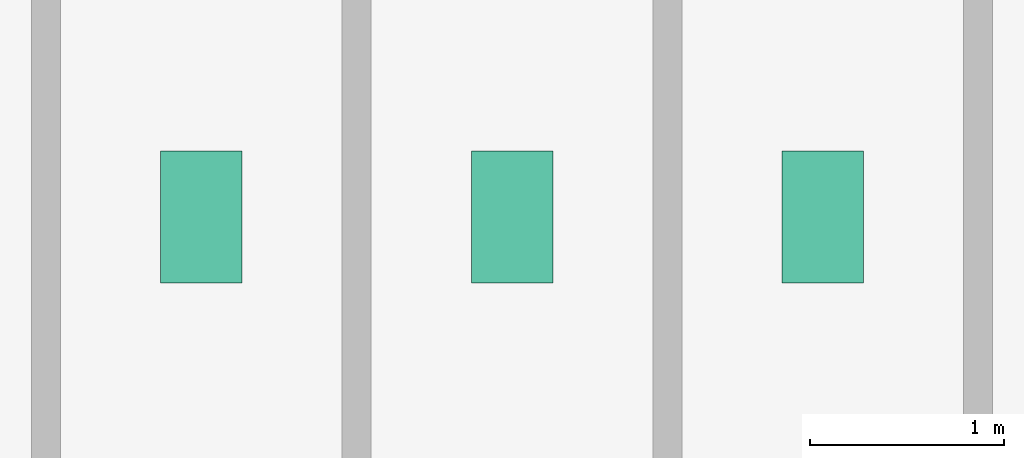
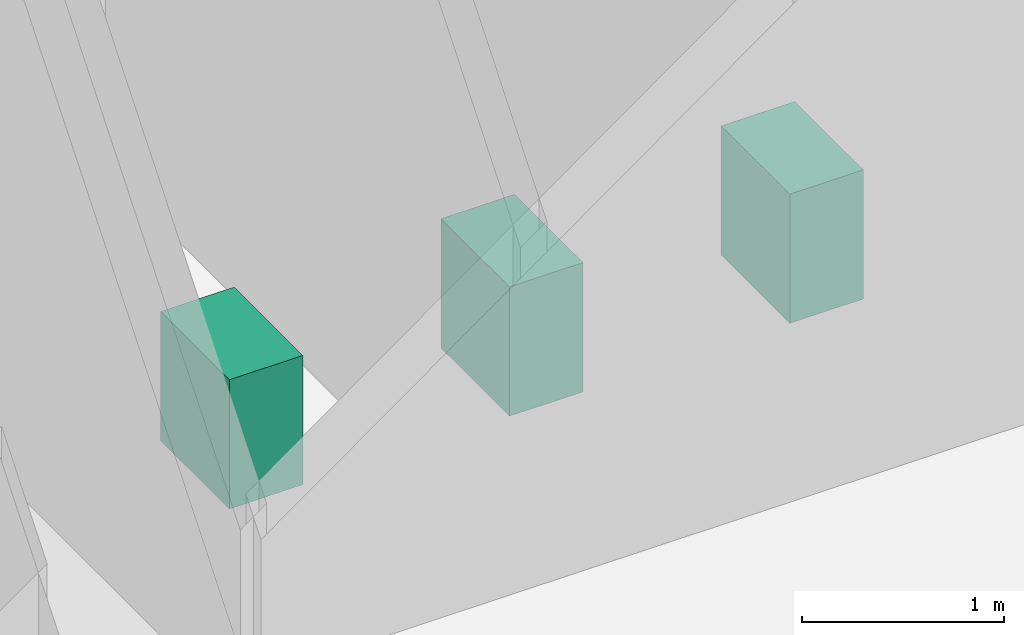
# One storey, part 25 of 25: 3 sanitary terminals.
"""IFC4 building model written with IfcOpenShell, lengths in metres."""

from ifc_helpers import new_model, si_unit, derived_unit, direction, frame, origin, origin_2d, place, context, subcontext, project, spatial, rectangle, extrude, source, transform, mapped, material, type_object, element, save


model = new_model("IFC4")

# Units and contexts
model_context = context("Model", 3, precision=1e-05, world=origin(), true_north=direction((0.0, 1.0)))
body_context = subcontext(model_context, "Body", "Model", "MODEL_VIEW")
ifc_project = project(units=[si_unit("LENGTHUNIT", "METRE"), si_unit("AREAUNIT", "SQUARE_METRE"), si_unit("VOLUMEUNIT", "CUBIC_METRE"), si_unit("PLANEANGLEUNIT", "RADIAN"), si_unit("MASSUNIT", "GRAM", prefix="KILO"), derived_unit("THERMALTRANSMITTANCEUNIT", [(si_unit("POWERUNIT", "WATT"), 1), (si_unit("LENGTHUNIT", "METRE"), -2), (si_unit("THERMODYNAMICTEMPERATUREUNIT", "KELVIN"), -1)])], contexts=[model_context])

# Site, building, storey
site_placement = place(None, origin())
site = spatial("IfcSite", under=ifc_project, at=site_placement, CompositionType="ELEMENT")
building_placement = place(site_placement, origin())
building = spatial("IfcBuilding", under=site, at=building_placement, Name="Skarnbrae Concourse Arena and Tower", CompositionType="ELEMENT")
storey_placement = place(building_placement, frame((0.0, 0.0, 158.85009765625)))
storey = spatial("IfcBuildingStorey", under=building, at=storey_placement, Name="L40", CompositionType="ELEMENT", Elevation=158.85009765625)

# Sanitary terminals
ifc_material = material(Name="Vitreous china sanitaryware", Category="other")
sanitary_terminal_type = type_object("IfcSanitaryTerminalType", Name="SAN-WC-VITREOUS", PredefinedType="TOILETPAN", material=ifc_material)
shared_shape = source(origin(), body_context, "Body", "SweptSolid", [
    extrude(rectangle(XDim=0.419921875, YDim=0.679931640625, at=origin_2d()), origin(), (0.0, 0.0, 1.0), 0.780029296875),
])
for number, where, z_axis, x_axis, name in (
    (1, (35.0, 11.39990234375, 0.0), (0.0, 0.0, 1.0), (1.0, 0.0, 0.0), "L40 Washroom WC fixture 1"),
    (2, (36.60009765625, 11.39990234375, 0.0), (0.0, 0.0, 1.0), (1.0, 0.0, 0.0), "L40 Washroom WC fixture 2"),
    (3, (38.199951171875, 11.39990234375, 0.0), (0.0, 0.0, 1.0), (1.0, 0.0, 0.0), "L40 Washroom WC fixture 3"),
):
    element("IfcSanitaryTerminal", number, at=place(storey_placement, frame(where, z_axis=z_axis, x_axis=x_axis)), inside=storey, type_object=sanitary_terminal_type, Name=name, PredefinedType="TOILETPAN", context=body_context, shape_type="MappedRepresentation", body=[
        mapped(shared_shape, transform((0.0, 0.0, 0.0))),
    ])

save(model, "model.ifc")
